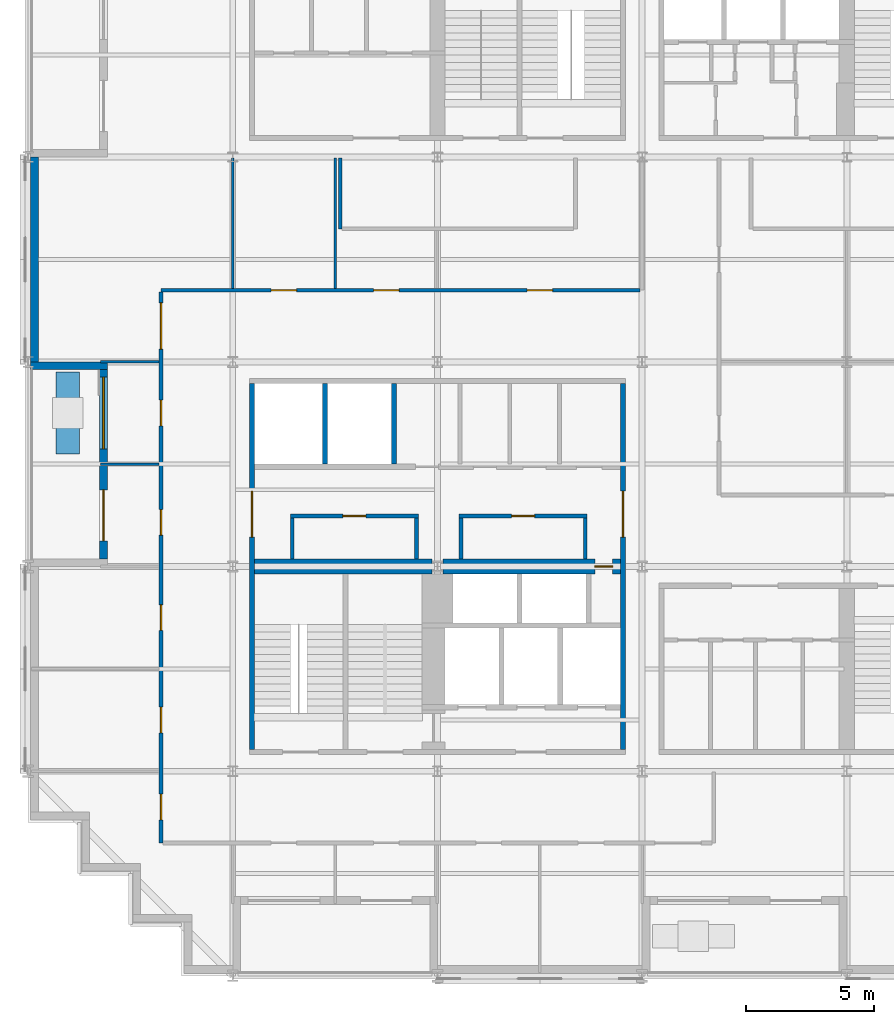
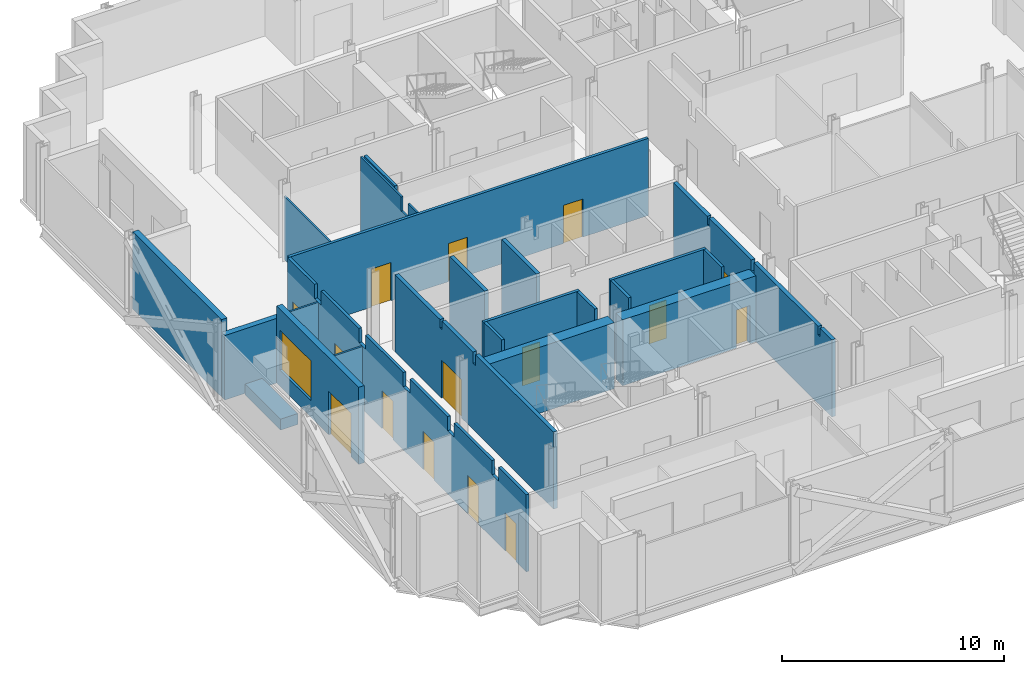
# One storey, part 7 of 15: 23 walls, 15 doors, 1 window, 16 openings.
"""IFC4 building model written with IfcOpenShell, lengths in metres."""

from ifc_helpers import new_model, si_unit, direction, frame, frame_2d, origin, place, context, subcontext, project, spatial, polyline, rectangle, outline, extrude, material, layer, layer_set, type_object, element, fill, save


model = new_model("IFC4")

# Units and contexts
model_context = context("Model", 3, precision=1e-05, world=origin(), true_north=direction((0.0, 1.0)))
body_context = subcontext(model_context, "Body", "Model", "MODEL_VIEW")
ifc_project = project(units=[si_unit("LENGTHUNIT", "METRE"), si_unit("AREAUNIT", "SQUARE_METRE"), si_unit("VOLUMEUNIT", "CUBIC_METRE"), si_unit("PLANEANGLEUNIT", "RADIAN"), si_unit("MASSUNIT", "GRAM", prefix="KILO")], contexts=[model_context])

# Site, building, storey
site_placement = place(None, origin())
site = spatial("IfcSite", under=ifc_project, at=site_placement, CompositionType="ELEMENT")
building_placement = place(site_placement, origin())
building = spatial("IfcBuilding", under=site, at=building_placement, Name="Immortelle Media Tower", CompositionType="ELEMENT")
storey_placement = place(building_placement, frame((0.0, 0.0, 83.199951171875)))
storey = spatial("IfcBuildingStorey", under=building, at=storey_placement, Name="L15", CompositionType="ELEMENT", Elevation=83.199951171875)

# Wall, opening, door
ifc_material_1 = material(Name="Fire-rated masonry blockwork", Category="masonry")
ifc_layer_1 = layer(ifc_material_1, 0.60009765625)
ifc_layer_set_1 = layer_set([ifc_layer_1], Name="Fire-rated masonry blockwork")
wall_type_1 = type_object("IfcWallType", Name="Core grid-line wall 600", PredefinedType="PARTITIONING", material=ifc_layer_set_1)
wall_1_placement = place(storey_placement, frame((16.218505859375, 16.0, 0.0), z_axis=(0.0, 0.0, 1.0), x_axis=(1.0, 0.0, 0.0)))
wall_1 = element("IfcWall", 1, at=wall_1_placement, inside=storey, type_object=wall_type_1, Name="Core grid-line wall SW", PredefinedType="PARTITIONING", context=body_context, shape_type="SweptSolid", body=[
    extrude(rectangle(XDim=6.931396484375, YDim=0.60009765625, at=frame_2d((3.4658203125, 0.0))), origin(), (0.0, 0.0, 1.0), 3.632080078125),
])
opening_1_placement = place(wall_1_placement, frame((6.63134765625, 0.0, 0.0), z_axis=(0.0, 0.0, 1.0), x_axis=(-1.0, 0.0, 0.0)))
opening_1 = element("IfcOpeningElement", 2, at=opening_1_placement, cuts=wall_1, Name="Opening N4-K013", PredefinedType="OPENING", context=body_context, shape_type="SweptSolid", body=[
    extrude(rectangle(XDim=0.699951171875, YDim=2.10009765625, at=frame_2d((0.35009765625, 1.050048828125))), frame((0.0, 0.31005859375, 0.0), z_axis=(0.0, -1.0, 0.0), x_axis=(1.0, 0.0, 0.0)), (0.0, 0.0, 1.0), 0.6201171875),
])
ifc_material_2 = material(Name="Galvanised steel door leaf and frame ASTM A653", Category="steel")
door_type_1 = type_object("IfcDoorType", Name="Service door 700 x 2100", OperationType="NOTDEFINED", PredefinedType="NOTDEFINED", material=ifc_material_2)
door_1_placement = place(opening_1_placement, origin())
door_1 = element("IfcDoor", 3, at=door_1_placement, inside=storey, type_object=door_type_1, Name="Service N4-K013", OperationType="SINGLE_SWING_LEFT", OverallHeight=2.10009765625, OverallWidth=0.699951171875, PredefinedType="NOTDEFINED", context=body_context, shape_type="SweptSolid", body=[
    extrude(rectangle(XDim=0.699951171875, YDim=2.10009765625, at=frame_2d((0.35009765625, 1.050048828125))), frame((0.0, 0.02490234375, 0.0), z_axis=(0.0, -1.0, 0.0), x_axis=(1.0, 0.0, 0.0)), (0.0, 0.0, 1.0), 0.050048828125),
])
fill(opening_1, door_1)

# Wall
ifc_material_3 = material(Name="Fire-rated gypsum board", Category="gypsum")
ifc_layer_2 = layer(ifc_material_3, 0.02490234375)
ifc_material_4 = material(Name="Steel ASTM A653 SS Gr 50 stud frame with mineral wool", Category="steel")
ifc_layer_3 = layer(ifc_material_4, 0.10009765625)
ifc_layer_4 = layer(ifc_material_3, 0.02490234375)
ifc_layer_set_2 = layer_set([ifc_layer_2, ifc_layer_3, ifc_layer_4], Name="Steel ASTM A653 SS Gr 50 stud frame with mineral wool")
wall_type_2 = type_object("IfcWallType", Name="Core partition 150", PredefinedType="PARTITIONING", material=ifc_layer_set_2)
wall_2_placement = place(storey_placement, frame((10.324951171875, 16.300048828125, 0.0), z_axis=(0.0, 0.0, 1.0), x_axis=(0.0, 1.0, 0.0)))
element("IfcWall", 4, at=wall_2_placement, inside=storey, type_object=wall_type_2, Name="Core partition SW", PredefinedType="PARTITIONING", context=body_context, shape_type="SweptSolid", body=[
    extrude(rectangle(XDim=1.599853515625, YDim=0.14990234375, at=frame_2d((0.7998046875, 0.0))), origin(), (0.0, 0.0, 1.0), 4.25),
])

# Wall, opening, door
wall_3_placement = place(storey_placement, frame((10.25, 17.97509765625, 0.0), z_axis=(0.0, 0.0, 1.0), x_axis=(1.0, 0.0, 0.0)))
wall_3 = element("IfcWall", 5, at=wall_3_placement, inside=storey, type_object=wall_type_2, Name="Core partition SW", PredefinedType="PARTITIONING", context=body_context, shape_type="SweptSolid", body=[
    extrude(rectangle(XDim=5.0, YDim=0.14990234375, at=frame_2d((2.5, 0.0))), origin(), (0.0, 0.0, 1.0), 4.25),
])
opening_2_placement = place(wall_3_placement, frame((2.949951171875, 0.0, 0.0), z_axis=(0.0, 0.0, 1.0), x_axis=(-1.0, 0.0, 0.0)))
opening_2 = element("IfcOpeningElement", 6, at=opening_2_placement, cuts=wall_3, Name="Opening N4-K003", PredefinedType="OPENING", context=body_context, shape_type="SweptSolid", body=[
    extrude(rectangle(XDim=0.89990234375, YDim=2.10009765625, at=frame_2d((0.449951171875, 1.050048828125))), frame((0.0, 0.0849609375, 0.0), z_axis=(0.0, -1.0, 0.0), x_axis=(1.0, 0.0, 0.0)), (0.0, 0.0, 1.0), 0.169921875),
])
ifc_material_5 = material(Name="Timber", Category="wood")
door_type_2 = type_object("IfcDoorType", Name="Room door 900 x 2100", OperationType="NOTDEFINED", PredefinedType="NOTDEFINED", material=ifc_material_5)
door_2_placement = place(opening_2_placement, origin())
door_2 = element("IfcDoor", 7, at=door_2_placement, inside=storey, type_object=door_type_2, Name="Room N4-K003", OperationType="SINGLE_SWING_LEFT", OverallHeight=2.10009765625, OverallWidth=0.89990234375, PredefinedType="NOTDEFINED", context=body_context, shape_type="SweptSolid", body=[
    extrude(rectangle(XDim=0.89990234375, YDim=2.10009765625, at=frame_2d((0.449951171875, 1.050048828125))), frame((0.0, 0.02490234375, 0.0), z_axis=(0.0, -1.0, 0.0), x_axis=(1.0, 0.0, 0.0)), (0.0, 0.0, 1.0), 0.050048828125),
])
fill(opening_2, door_2)

# Walls
for number, where, z_axis, x_axis, name in (
    (8, (15.175048828125, 16.300048828125, 0.0), (0.0, 0.0, 1.0), (0.0, 1.0, 0.0), "Core partition SW"),
    (9, (16.925048828125, 16.300048828125, 0.0), (0.0, 0.0, 1.0), (0.0, 1.0, 0.0), "Core partition SW"),
):
    element("IfcWall", number, at=place(storey_placement, frame(where, z_axis=z_axis, x_axis=x_axis)), inside=storey, type_object=wall_type_2, Name=name, PredefinedType="PARTITIONING", context=body_context, shape_type="SweptSolid", body=[
        extrude(rectangle(XDim=1.599853515625, YDim=0.14990234375, at=frame_2d((0.7998046875, 0.0))), origin(), (0.0, 0.0, 1.0), 4.25),
    ])

# Wall, opening, door
wall_4_placement = place(storey_placement, frame((16.85009765625, 17.97509765625, 0.0), z_axis=(0.0, 0.0, 1.0), x_axis=(1.0, 0.0, 0.0)))
wall_4 = element("IfcWall", 10, at=wall_4_placement, inside=storey, type_object=wall_type_2, Name="Core partition SW", PredefinedType="PARTITIONING", context=body_context, shape_type="SweptSolid", body=[
    extrude(rectangle(XDim=5.0, YDim=0.14990234375, at=frame_2d((2.5, 0.0))), origin(), (0.0, 0.0, 1.0), 4.25),
])
opening_3_placement = place(wall_4_placement, frame((2.949951171875, 0.0, 0.0), z_axis=(0.0, 0.0, 1.0), x_axis=(-1.0, 0.0, 0.0)))
opening_3 = element("IfcOpeningElement", 11, at=opening_3_placement, cuts=wall_4, Name="Opening N4-K037", PredefinedType="OPENING", context=body_context, shape_type="SweptSolid", body=[
    extrude(rectangle(XDim=0.89990234375, YDim=2.10009765625, at=frame_2d((0.449951171875, 1.050048828125))), frame((0.0, 0.0849609375, 0.0), z_axis=(0.0, -1.0, 0.0), x_axis=(1.0, 0.0, 0.0)), (0.0, 0.0, 1.0), 0.169921875),
])
door_3_placement = place(opening_3_placement, origin())
door_3 = element("IfcDoor", 12, at=door_3_placement, inside=storey, type_object=door_type_2, Name="Room N4-K037", OperationType="SINGLE_SWING_RIGHT", OverallHeight=2.10009765625, OverallWidth=0.89990234375, PredefinedType="NOTDEFINED", context=body_context, shape_type="SweptSolid", body=[
    extrude(rectangle(XDim=0.89990234375, YDim=2.10009765625, at=frame_2d((0.449951171875, 1.050048828125))), frame((0.0, 0.02490234375, 0.0), z_axis=(0.0, -1.0, 0.0), x_axis=(1.0, 0.0, 0.0)), (0.0, 0.0, 1.0), 0.050048828125),
])
fill(opening_3, door_3)

# Walls
wall_5_placement = place(storey_placement, frame((21.77490234375, 16.300048828125, 0.0), z_axis=(0.0, 0.0, 1.0), x_axis=(0.0, 1.0, 0.0)))
element("IfcWall", 13, at=wall_5_placement, inside=storey, type_object=wall_type_2, Name="Core partition SW", PredefinedType="PARTITIONING", context=body_context, shape_type="SweptSolid", body=[
    extrude(rectangle(XDim=1.599853515625, YDim=0.14990234375, at=frame_2d((0.7998046875, 0.0))), origin(), (0.0, 0.0, 1.0), 4.25),
])
ifc_layer_5 = layer(ifc_material_3, 0.03759765625)
ifc_layer_6 = layer(ifc_material_4, 0.125)
ifc_layer_7 = layer(ifc_material_3, 0.03759765625)
ifc_layer_set_3 = layer_set([ifc_layer_5, ifc_layer_6, ifc_layer_7], Name="Steel ASTM A653 SS Gr 50 stud frame with mineral wool")
wall_type_3 = type_object("IfcWallType", Name="Core shaft wall 200", PredefinedType="PARTITIONING", material=ifc_layer_set_3)
for number, where, z_axis, x_axis, name in (
    (14, (11.60009765625, 20.0, 0.0), (0.0, 0.0, 1.0), (0.0, 1.0, 0.0), "Core shaft wall SW"),
    (15, (14.300048828125, 20.0, 0.0), (0.0, 0.0, 1.0), (0.0, 1.0, 0.0), "Core shaft wall SW"),
):
    element("IfcWall", number, at=place(storey_placement, frame(where, z_axis=z_axis, x_axis=x_axis)), inside=storey, type_object=wall_type_3, Name=name, PredefinedType="PARTITIONING", context=body_context, shape_type="SweptSolid", body=[
        extrude(rectangle(XDim=3.14990234375, YDim=0.199951171875, at=frame_2d((1.574951171875, 0.0))), origin(), (0.0, 0.0, 1.0), 4.25),
    ])

# Wall, opening, door
wall_6_placement = place(storey_placement, frame((23.25, 8.85009765625, 0.0), z_axis=(0.0, 0.0, 1.0), x_axis=(0.0, 1.0, 0.0)))
wall_6 = element("IfcWall", 16, at=wall_6_placement, inside=storey, type_object=wall_type_3, Name="Core shaft wall SW", PredefinedType="PARTITIONING", context=body_context, shape_type="SweptSolid", body=[
    extrude(outline(polyline([(0.0, 0.0), (14.2998046875, 0.0), (14.300048828125, 4.25), (11.2314453125, 4.25), (11.23046875, 3.7890625), (11.069580078125, 3.7890625), (11.068603515625, 4.25), (7.26953125, 4.25), (7.2685546875, 3.632080078125), (7.031494140625, 3.632080078125), (7.030517578125, 4.25), (1.2314453125, 4.25), (1.23046875, 3.7890625), (1.069580078125, 3.7890625), (1.068603515625, 4.25), (0.0, 4.25), (0.0, 0.0)])), frame((0.0, 0.10009765625, 0.0), z_axis=(0.0, -1.0, 0.0), x_axis=(1.0, 0.0, 0.0)), (0.0, 0.0, 1.0), 0.199951171875),
])
opening_4_placement = place(wall_6_placement, frame((8.300048828125, 0.0, 0.0)))
opening_4 = element("IfcOpeningElement", 17, at=opening_4_placement, cuts=wall_6, Name="Opening N4-K014", PredefinedType="OPENING", context=body_context, shape_type="SweptSolid", body=[
    extrude(rectangle(XDim=1.800048828125, YDim=2.10009765625, at=frame_2d((0.89990234375, 1.050048828125))), frame((0.0, 0.10986328125, 0.0), z_axis=(0.0, -1.0, 0.0), x_axis=(1.0, 0.0, 0.0)), (0.0, 0.0, 1.0), 0.219970703125),
])
door_type_3 = type_object("IfcDoorType", Name="Lift lobby door 1800 x 2100", OperationType="DOUBLE_DOOR_SINGLE_SWING", PredefinedType="NOTDEFINED", material=ifc_material_2)
door_4_placement = place(opening_4_placement, origin())
door_4 = element("IfcDoor", 18, at=door_4_placement, inside=storey, type_object=door_type_3, Name="Lift lobby N4-K014", OperationType="DOUBLE_DOOR_SINGLE_SWING", OverallHeight=2.10009765625, OverallWidth=1.800048828125, PredefinedType="NOTDEFINED", context=body_context, shape_type="SweptSolid", body=[
    extrude(rectangle(XDim=1.800048828125, YDim=2.10009765625, at=frame_2d((0.89990234375, 1.050048828125))), frame((0.0, 0.02490234375, 0.0), z_axis=(0.0, -1.0, 0.0), x_axis=(1.0, 0.0, 0.0)), (0.0, 0.0, 1.0), 0.050048828125),
])
fill(opening_4, door_4)

# Wall, openings, doors
ifc_layer_8 = layer(ifc_material_3, 0.012451171875)
ifc_layer_9 = layer(ifc_material_4, 0.125)
ifc_layer_10 = layer(ifc_material_3, 0.012451171875)
ifc_layer_set_4 = layer_set([ifc_layer_8, ifc_layer_9, ifc_layer_10], Name="Steel ASTM A653 SS Gr 50 stud frame with mineral wool")
wall_type_4 = type_object("IfcWallType", Name="Corridor wall 150", PredefinedType="PARTITIONING", material=ifc_layer_set_4)
wall_7_placement = place(storey_placement, frame((5.199951171875, 5.199951171875, 0.0), z_axis=(0.0, 0.0, 1.0), x_axis=(0.0, 1.0, 0.0)))
wall_7 = element("IfcWall", 19, at=wall_7_placement, inside=storey, type_object=wall_type_4, Name="Partition L15-007", PredefinedType="PARTITIONING", context=body_context, shape_type="SweptSolid", body=[
    extrude(outline(polyline([(0.0, 0.0), (21.525146484375, 0.0), (21.52490234375, 4.25), (19.10009765625, 4.25), (19.097900390625, 3.469970703125), (18.501953125, 3.469970703125), (18.5, 4.25), (15.10009765625, 4.25), (15.097900390625, 3.469970703125), (14.501953125, 3.469970703125), (14.5, 4.25), (11.10009765625, 4.25), (11.097900390625, 3.469970703125), (10.501953125, 3.469970703125), (10.5, 4.25), (7.10009765625, 4.25), (7.097900390625, 3.469970703125), (6.501953125, 3.469970703125), (6.5, 4.25), (3.10009765625, 4.25), (3.097900390625, 3.469970703125), (2.501953125, 3.469970703125), (2.5, 4.25), (0.0, 4.25), (0.0, 0.0)])), frame((0.0, 0.074951171875, 0.0), z_axis=(0.0, -1.0, 0.0), x_axis=(1.0, 0.0, 0.0)), (0.0, 0.0, 1.0), 0.14990234375),
])
opening_5_placement = place(wall_7_placement, frame((0.89990234375, 0.0, 0.0)))
opening_5 = element("IfcOpeningElement", 20, at=opening_5_placement, cuts=wall_7, Name="Opening N4-F005", PredefinedType="OPENING", context=body_context, shape_type="SweptSolid", body=[
    extrude(rectangle(XDim=1.0, YDim=2.10009765625, at=frame_2d((0.5, 1.050048828125))), frame((0.0, 0.0849609375, 0.0), z_axis=(0.0, -1.0, 0.0), x_axis=(1.0, 0.0, 0.0)), (0.0, 0.0, 1.0), 0.169921875),
])
opening_6_placement = place(wall_7_placement, frame((4.300048828125, 0.0, 0.0)))
opening_6 = element("IfcOpeningElement", 21, at=opening_6_placement, cuts=wall_7, Name="Opening N4-F007", PredefinedType="OPENING", context=body_context, shape_type="SweptSolid", body=[
    extrude(rectangle(XDim=1.0, YDim=2.10009765625, at=frame_2d((0.5, 1.050048828125))), frame((0.0, 0.0849609375, 0.0), z_axis=(0.0, -1.0, 0.0), x_axis=(1.0, 0.0, 0.0)), (0.0, 0.0, 1.0), 0.169921875),
])
opening_7_placement = place(wall_7_placement, frame((8.300048828125, 0.0, 0.0)))
opening_7 = element("IfcOpeningElement", 22, at=opening_7_placement, cuts=wall_7, Name="Opening N4-F008", PredefinedType="OPENING", context=body_context, shape_type="SweptSolid", body=[
    extrude(rectangle(XDim=1.0, YDim=2.10009765625, at=frame_2d((0.5, 1.050048828125))), frame((0.0, 0.0849609375, 0.0), z_axis=(0.0, -1.0, 0.0), x_axis=(1.0, 0.0, 0.0)), (0.0, 0.0, 1.0), 0.169921875),
])
opening_8_placement = place(wall_7_placement, frame((12.02490234375, 0.0, 0.0)))
opening_8 = element("IfcOpeningElement", 23, at=opening_8_placement, cuts=wall_7, Name="Opening N4-F009", PredefinedType="OPENING", context=body_context, shape_type="SweptSolid", body=[
    extrude(rectangle(XDim=1.0, YDim=2.10009765625, at=frame_2d((0.5, 1.050048828125))), frame((0.0, 0.0849609375, 0.0), z_axis=(0.0, -1.0, 0.0), x_axis=(1.0, 0.0, 0.0)), (0.0, 0.0, 1.0), 0.169921875),
])
opening_9_placement = place(wall_7_placement, frame((16.300048828125, 0.0, 0.0)))
opening_9 = element("IfcOpeningElement", 24, at=opening_9_placement, cuts=wall_7, Name="Opening N4-F010", PredefinedType="OPENING", context=body_context, shape_type="SweptSolid", body=[
    extrude(rectangle(XDim=1.0, YDim=2.10009765625, at=frame_2d((0.5, 1.050048828125))), frame((0.0, 0.0849609375, 0.0), z_axis=(0.0, -1.0, 0.0), x_axis=(1.0, 0.0, 0.0)), (0.0, 0.0, 1.0), 0.169921875),
])
opening_10_placement = place(wall_7_placement, frame((19.300048828125, 0.0, 0.0)))
opening_10 = element("IfcOpeningElement", 25, at=opening_10_placement, cuts=wall_7, Name="Opening N4-F020", PredefinedType="OPENING", context=body_context, shape_type="SweptSolid", body=[
    extrude(rectangle(XDim=1.800048828125, YDim=2.10009765625, at=frame_2d((0.89990234375, 1.050048828125))), frame((0.0, 0.0849609375, 0.0), z_axis=(0.0, -1.0, 0.0), x_axis=(1.0, 0.0, 0.0)), (0.0, 0.0, 1.0), 0.169921875),
])
ifc_material_6 = material(Name="Timber veneered door leaf, galvanised steel frame ASTM A653", Category="steel")
door_type_4 = type_object("IfcDoorType", Name="Room door 1000 x 2100", OperationType="NOTDEFINED", PredefinedType="DOOR", material=ifc_material_6)
door_5_placement = place(opening_5_placement, origin())
door_5 = element("IfcDoor", 26, at=door_5_placement, inside=storey, type_object=door_type_4, Name="Door N4-F005", OperationType="SINGLE_SWING_RIGHT", OverallHeight=2.10009765625, OverallWidth=1.0, PredefinedType="DOOR", context=body_context, shape_type="SweptSolid", body=[
    extrude(rectangle(XDim=1.0, YDim=2.10009765625, at=frame_2d((0.5, 1.050048828125))), frame((0.0, 0.02490234375, 0.0), z_axis=(0.0, -1.0, 0.0), x_axis=(1.0, 0.0, 0.0)), (0.0, 0.0, 1.0), 0.050048828125),
])
fill(opening_5, door_5)
door_6_placement = place(opening_6_placement, origin())
door_6 = element("IfcDoor", 27, at=door_6_placement, inside=storey, type_object=door_type_4, Name="Door N4-F007", OperationType="SINGLE_SWING_RIGHT", OverallHeight=2.10009765625, OverallWidth=1.0, PredefinedType="DOOR", context=body_context, shape_type="SweptSolid", body=[
    extrude(rectangle(XDim=1.0, YDim=2.10009765625, at=frame_2d((0.5, 1.050048828125))), frame((0.0, 0.02490234375, 0.0), z_axis=(0.0, -1.0, 0.0), x_axis=(1.0, 0.0, 0.0)), (0.0, 0.0, 1.0), 0.050048828125),
])
fill(opening_6, door_6)
door_7_placement = place(opening_7_placement, origin())
door_7 = element("IfcDoor", 28, at=door_7_placement, inside=storey, type_object=door_type_4, Name="Door N4-F008", OperationType="SINGLE_SWING_LEFT", OverallHeight=2.10009765625, OverallWidth=1.0, PredefinedType="DOOR", context=body_context, shape_type="SweptSolid", body=[
    extrude(rectangle(XDim=1.0, YDim=2.10009765625, at=frame_2d((0.5, 1.050048828125))), frame((0.0, 0.02490234375, 0.0), z_axis=(0.0, -1.0, 0.0), x_axis=(1.0, 0.0, 0.0)), (0.0, 0.0, 1.0), 0.050048828125),
])
fill(opening_7, door_7)
door_8_placement = place(opening_8_placement, origin())
door_8 = element("IfcDoor", 29, at=door_8_placement, inside=storey, type_object=door_type_4, Name="Door N4-F009", OperationType="SINGLE_SWING_LEFT", OverallHeight=2.10009765625, OverallWidth=1.0, PredefinedType="DOOR", context=body_context, shape_type="SweptSolid", body=[
    extrude(rectangle(XDim=1.0, YDim=2.10009765625, at=frame_2d((0.5, 1.050048828125))), frame((0.0, 0.02490234375, 0.0), z_axis=(0.0, -1.0, 0.0), x_axis=(1.0, 0.0, 0.0)), (0.0, 0.0, 1.0), 0.050048828125),
])
fill(opening_8, door_8)
door_9_placement = place(opening_9_placement, origin())
door_9 = element("IfcDoor", 30, at=door_9_placement, inside=storey, type_object=door_type_4, Name="Door N4-F010", OperationType="SINGLE_SWING_RIGHT", OverallHeight=2.10009765625, OverallWidth=1.0, PredefinedType="DOOR", context=body_context, shape_type="SweptSolid", body=[
    extrude(rectangle(XDim=1.0, YDim=2.10009765625, at=frame_2d((0.5, 1.050048828125))), frame((0.0, 0.02490234375, 0.0), z_axis=(0.0, -1.0, 0.0), x_axis=(1.0, 0.0, 0.0)), (0.0, 0.0, 1.0), 0.050048828125),
])
fill(opening_9, door_9)
door_type_5 = type_object("IfcDoorType", Name="Room door 1800 x 2100", OperationType="DOUBLE_DOOR_SINGLE_SWING", PredefinedType="DOOR", material=ifc_material_6)
door_10_placement = place(opening_10_placement, origin())
door_10 = element("IfcDoor", 31, at=door_10_placement, inside=storey, type_object=door_type_5, Name="Door N4-F020", OperationType="DOUBLE_DOOR_SINGLE_SWING", OverallHeight=2.10009765625, OverallWidth=1.800048828125, PredefinedType="DOOR", context=body_context, shape_type="SweptSolid", body=[
    extrude(rectangle(XDim=1.800048828125, YDim=2.10009765625, at=frame_2d((0.89990234375, 1.050048828125))), frame((0.0, 0.02490234375, 0.0), z_axis=(0.0, -1.0, 0.0), x_axis=(1.0, 0.0, 0.0)), (0.0, 0.0, 1.0), 0.050048828125),
])
fill(opening_10, door_10)

wall_8_placement = place(storey_placement, frame((5.199951171875, 26.800048828125, 0.0), z_axis=(0.0, 0.0, 1.0), x_axis=(1.0, 0.0, 0.0)))
wall_8 = element("IfcWall", 32, at=wall_8_placement, inside=storey, type_object=wall_type_4, Name="Partition L15-027", PredefinedType="PARTITIONING", context=body_context, shape_type="SweptSolid", body=[
    extrude(rectangle(XDim=18.72509765625, YDim=0.14990234375, at=frame_2d((9.362548828125, 0.0))), origin(), (0.0, 0.0, 1.0), 4.25),
])
opening_11_placement = place(wall_8_placement, frame((14.300048828125, 0.0, 0.0)))
opening_11 = element("IfcOpeningElement", 33, at=opening_11_placement, cuts=wall_8, Name="Opening N4-F016", PredefinedType="OPENING", context=body_context, shape_type="SweptSolid", body=[
    extrude(rectangle(XDim=1.0, YDim=2.10009765625, at=frame_2d((0.5, 1.050048828125))), frame((0.0, 0.0849609375, 0.0), z_axis=(0.0, -1.0, 0.0), x_axis=(1.0, 0.0, 0.0)), (0.0, 0.0, 1.0), 0.169921875),
])
opening_12_placement = place(wall_8_placement, frame((4.300048828125, 0.0, 0.0)))
opening_12 = element("IfcOpeningElement", 34, at=opening_12_placement, cuts=wall_8, Name="Opening N4-F017", PredefinedType="OPENING", context=body_context, shape_type="SweptSolid", body=[
    extrude(rectangle(XDim=1.0, YDim=2.10009765625, at=frame_2d((0.5, 1.050048828125))), frame((0.0, 0.0849609375, 0.0), z_axis=(0.0, -1.0, 0.0), x_axis=(1.0, 0.0, 0.0)), (0.0, 0.0, 1.0), 0.169921875),
])
opening_13_placement = place(wall_8_placement, frame((8.300048828125, 0.0, 0.0)))
opening_13 = element("IfcOpeningElement", 35, at=opening_13_placement, cuts=wall_8, Name="Opening N4-F018", PredefinedType="OPENING", context=body_context, shape_type="SweptSolid", body=[
    extrude(rectangle(XDim=1.0, YDim=2.10009765625, at=frame_2d((0.5, 1.050048828125))), frame((0.0, 0.0849609375, 0.0), z_axis=(0.0, -1.0, 0.0), x_axis=(1.0, 0.0, 0.0)), (0.0, 0.0, 1.0), 0.169921875),
])
door_11_placement = place(opening_11_placement, origin())
door_11 = element("IfcDoor", 36, at=door_11_placement, inside=storey, type_object=door_type_4, Name="Door N4-F016", OperationType="SINGLE_SWING_RIGHT", OverallHeight=2.10009765625, OverallWidth=1.0, PredefinedType="DOOR", context=body_context, shape_type="SweptSolid", body=[
    extrude(rectangle(XDim=1.0, YDim=2.10009765625, at=frame_2d((0.5, 1.050048828125))), frame((0.0, 0.02490234375, 0.0), z_axis=(0.0, -1.0, 0.0), x_axis=(1.0, 0.0, 0.0)), (0.0, 0.0, 1.0), 0.050048828125),
])
fill(opening_11, door_11)
door_12_placement = place(opening_12_placement, origin())
door_12 = element("IfcDoor", 37, at=door_12_placement, inside=storey, type_object=door_type_4, Name="Door N4-F017", OperationType="SINGLE_SWING_RIGHT", OverallHeight=2.10009765625, OverallWidth=1.0, PredefinedType="DOOR", context=body_context, shape_type="SweptSolid", body=[
    extrude(rectangle(XDim=1.0, YDim=2.10009765625, at=frame_2d((0.5, 1.050048828125))), frame((0.0, 0.02490234375, 0.0), z_axis=(0.0, -1.0, 0.0), x_axis=(1.0, 0.0, 0.0)), (0.0, 0.0, 1.0), 0.050048828125),
])
fill(opening_12, door_12)
door_13_placement = place(opening_13_placement, origin())
door_13 = element("IfcDoor", 38, at=door_13_placement, inside=storey, type_object=door_type_4, Name="Door N4-F018", OperationType="SINGLE_SWING_LEFT", OverallHeight=2.10009765625, OverallWidth=1.0, PredefinedType="DOOR", context=body_context, shape_type="SweptSolid", body=[
    extrude(rectangle(XDim=1.0, YDim=2.10009765625, at=frame_2d((0.5, 1.050048828125))), frame((0.0, 0.02490234375, 0.0), z_axis=(0.0, -1.0, 0.0), x_axis=(1.0, 0.0, 0.0)), (0.0, 0.0, 1.0), 0.050048828125),
])
fill(opening_13, door_13)

# Walls
wall_9_placement = place(storey_placement, frame((12.199951171875, 29.199951171875, 0.0), z_axis=(0.0, 0.0, 1.0), x_axis=(0.0, 1.0, 0.0)))
element("IfcWall", 39, at=wall_9_placement, inside=storey, type_object=wall_type_4, Name="Partition L15-033", PredefinedType="PARTITIONING", context=body_context, shape_type="SweptSolid", body=[
    extrude(rectangle(XDim=2.77001953125, YDim=0.14990234375, at=frame_2d((1.385009765625, 0.0))), origin(), (0.0, 0.0, 1.0), 4.25),
])
ifc_material_7 = material(Name="Pale aluminium cladding panel", Category="aluminium")
ifc_layer_11 = layer(ifc_material_7, 0.030029296875)
ifc_layer_12 = layer(ifc_material_4, 0.257568359375)
ifc_material_8 = material(Name="Moisture-resistant gypsum board", Category="gypsum")
ifc_layer_13 = layer(ifc_material_8, 0.012451171875)
ifc_layer_set_5 = layer_set([ifc_layer_11, ifc_layer_12, ifc_layer_13], Name="Steel ASTM A653 SS Gr 50 stud frame with mineral wool")
wall_type_5 = type_object("IfcWallType", Name="Facade wall 300", PredefinedType="SOLIDWALL", material=ifc_layer_set_5)
wall_10_placement = place(storey_placement, frame((0.25, 32.0, 0.0), z_axis=(0.0, 0.0, 1.0), x_axis=(0.0, -1.0, 0.0)))
element("IfcWall", 40, at=wall_10_placement, inside=storey, type_object=wall_type_5, Name="Facade wall L15 W0", PredefinedType="SOLIDWALL", context=body_context, shape_type="SweptSolid", body=[
    extrude(rectangle(XDim=8.0, YDim=0.300048828125, at=frame_2d((4.0, 0.0))), origin(), (0.0, 0.0, 1.0), 4.25),
])

# Wall, openings, door, window
wall_11_placement = place(storey_placement, frame((2.949951171875, 23.699951171875, 0.0), z_axis=(0.0, 0.0, 1.0), x_axis=(0.0, -1.0, 0.0)))
wall_11 = element("IfcWall", 41, at=wall_11_placement, inside=storey, type_object=wall_type_5, Name="Loggia wall L15 W0", PredefinedType="SOLIDWALL", context=body_context, shape_type="SweptSolid", body=[
    extrude(rectangle(XDim=7.39990234375, YDim=0.300048828125, at=frame_2d((3.699951171875, 0.0))), origin(), (0.0, 0.0, 1.0), 4.25),
])
opening_14_placement = place(wall_11_placement, frame((0.300048828125, 0.0, 0.89990234375)))
opening_14 = element("IfcOpeningElement", 42, at=opening_14_placement, cuts=wall_11, Name="Opening W1", PredefinedType="OPENING", context=body_context, shape_type="SweptSolid", body=[
    extrude(rectangle(XDim=2.800048828125, YDim=2.199951171875, at=frame_2d((1.39990234375, 1.10009765625))), frame((0.0, 0.159912109375, 0.0), z_axis=(0.0, -1.0, 0.0), x_axis=(1.0, 0.0, 0.0)), (0.0, 0.0, 1.0), 0.320068359375),
])
opening_15_placement = place(wall_11_placement, frame((4.699951171875, 0.0, 0.0)))
opening_15 = element("IfcOpeningElement", 43, at=opening_15_placement, cuts=wall_11, Name="Opening N4-E002", PredefinedType="OPENING", context=body_context, shape_type="SweptSolid", body=[
    extrude(rectangle(XDim=2.0, YDim=2.39990234375, at=frame_2d((1.0, 1.199951171875))), frame((0.0, 0.159912109375, 0.0), z_axis=(0.0, -1.0, 0.0), x_axis=(1.0, 0.0, 0.0)), (0.0, 0.0, 1.0), 0.320068359375),
])
ifc_material_9 = material(Name="Aluminium frame, glazed leaves", Category="aluminium")
door_type_6 = type_object("IfcDoorType", Name="Loggia door 2000 x 2400", OperationType="DOUBLE_DOOR_SINGLE_SWING", PredefinedType="DOOR", material=ifc_material_9)
door_14_placement = place(opening_15_placement, origin())
door_14 = element("IfcDoor", 44, at=door_14_placement, inside=storey, type_object=door_type_6, Name="Door N4-E002", OperationType="DOUBLE_DOOR_SINGLE_SWING", OverallHeight=2.39990234375, OverallWidth=2.0, PredefinedType="DOOR", context=body_context, shape_type="SweptSolid", body=[
    extrude(rectangle(XDim=2.0, YDim=2.39990234375, at=frame_2d((1.0, 1.199951171875))), frame((0.0, 0.02490234375, 0.0), z_axis=(0.0, -1.0, 0.0), x_axis=(1.0, 0.0, 0.0)), (0.0, 0.0, 1.0), 0.050048828125),
])
fill(opening_15, door_14)
ifc_material_10 = material(Name="Aluminium frame", Category="aluminium")
window_type = type_object("IfcWindowType", Name="Window 2800 x 2200", PartitioningType="SINGLE_PANEL", PredefinedType="WINDOW", material=ifc_material_10)
window_placement = place(opening_14_placement, origin())
window = element("IfcWindow", 45, at=window_placement, inside=storey, type_object=window_type, Name="Window L15 L15-R0-B2", OverallHeight=2.199951171875, OverallWidth=2.800048828125, PartitioningType="SINGLE_PANEL", PredefinedType="WINDOW", context=body_context, shape_type="SweptSolid", body=[
    extrude(rectangle(XDim=2.800048828125, YDim=2.199951171875, at=frame_2d((1.39990234375, 1.10009765625))), frame((0.0, 0.030029296875, 0.0), z_axis=(0.0, -1.0, 0.0), x_axis=(1.0, 0.0, 0.0)), (0.0, 0.0, 1.0), 0.06005859375),
])
fill(opening_14, window)

# Walls
wall_12_placement = place(storey_placement, frame((0.10009765625, 23.85009765625, 0.0), z_axis=(0.0, 0.0, 1.0), x_axis=(1.0, 0.0, 0.0)))
element("IfcWall", 46, at=wall_12_placement, inside=storey, type_object=wall_type_5, Name="Loggia cheek wall L15 W", PredefinedType="SOLIDWALL", context=body_context, shape_type="SweptSolid", body=[
    extrude(rectangle(XDim=3.0, YDim=0.300048828125, at=frame_2d((1.5, 0.0))), origin(), (0.0, 0.0, 1.0), 3.55615234375),
])
ifc_material_11 = material(Name="Gypsum board", Category="gypsum")
ifc_layer_14 = layer(ifc_material_11, 0.012451171875)
ifc_layer_15 = layer(ifc_material_4, 0.074951171875)
ifc_layer_16 = layer(ifc_material_11, 0.012451171875)
ifc_layer_set_6 = layer_set([ifc_layer_14, ifc_layer_15, ifc_layer_16], Name="Steel ASTM A653 SS Gr 50 stud frame with mineral wool")
wall_type_6 = type_object("IfcWallType", Name="Partition 100", PredefinedType="PARTITIONING", material=ifc_layer_set_6)
for number, where, z_axis, x_axis, name in (
    (47, (2.830078125, 20.0, 0.0), (0.0, 0.0, 1.0), (1.0, 0.0, 0.0), "Partition L15-020"),
    (48, (2.830078125, 24.0, 0.0), (0.0, 0.0, 1.0), (1.0, 0.0, 0.0), "Partition L15-021"),
):
    element("IfcWall", number, at=place(storey_placement, frame(where, z_axis=z_axis, x_axis=x_axis)), inside=storey, type_object=wall_type_6, Name=name, PredefinedType="PARTITIONING", context=body_context, shape_type="SweptSolid", body=[
        extrude(rectangle(XDim=2.294921875, YDim=0.10009765625, at=frame_2d((1.1474609375, 0.0))), origin(), (0.0, 0.0, 1.0), 3.469970703125),
    ])
wall_13_placement = place(storey_placement, frame((8.0, 26.875, 0.0), z_axis=(0.0, 0.0, 1.0), x_axis=(0.0, 1.0, 0.0)))
element("IfcWall", 49, at=wall_13_placement, inside=storey, type_object=wall_type_6, Name="Partition L15-028", PredefinedType="PARTITIONING", context=body_context, shape_type="SweptSolid", body=[
    extrude(rectangle(XDim=5.094970703125, YDim=0.10009765625, at=frame_2d((2.54736328125, 0.0))), origin(), (0.0, 0.0, 1.0), 3.469970703125),
])
wall_14_placement = place(storey_placement, frame((12.0, 26.875, 0.0), z_axis=(0.0, 0.0, 1.0), x_axis=(0.0, 1.0, 0.0)))
element("IfcWall", 50, at=wall_14_placement, inside=storey, type_object=wall_type_6, Name="Partition L15-029", PredefinedType="PARTITIONING", context=body_context, shape_type="SweptSolid", body=[
    extrude(outline(polyline([(0.0, 0.0), (5.094970703125, 0.0), (5.094970703125, 4.25), (1.425048828125, 4.25), (1.423095703125, 3.469970703125), (0.826904296875, 3.469970703125), (0.824951171875, 4.25), (0.0, 4.25), (0.0, 0.0)])), frame((0.0, 0.050048828125, 0.0), z_axis=(0.0, -1.0, 0.0), x_axis=(1.0, 0.0, 0.0)), (0.0, 0.0, 1.0), 0.10009765625),
])
ifc_layer_17 = layer(ifc_material_7, 0.0029296875)
ifc_material_12 = material(Name="Steel ASTM A572 Gr 50 planter shell", Category="steel")
ifc_layer_18 = layer(ifc_material_12, 0.011962890625)
ifc_material_13 = material(Name="Planting substrate", Category="soil")
ifc_layer_19 = layer(ifc_material_13, 0.873046875)
ifc_layer_20 = layer(ifc_material_12, 0.011962890625)
ifc_layer_set_7 = layer_set([ifc_layer_17, ifc_layer_18, ifc_layer_19, ifc_layer_20], Name="Steel ASTM A572 Gr 50 planter shell")
wall_type_7 = type_object("IfcWallType", Name="Planter wall 900", PredefinedType="SOLIDWALL", material=ifc_layer_set_7)
wall_15_placement = place(storey_placement, frame((1.550048828125, 23.60009765625, 0.0), z_axis=(0.0, 0.0, 1.0), x_axis=(0.0, -1.0, 0.0)))
element("IfcWall", 51, at=wall_15_placement, inside=storey, type_object=wall_type_7, Name="Planter L15 W2", PredefinedType="SOLIDWALL", context=body_context, shape_type="SweptSolid", body=[
    extrude(rectangle(XDim=3.2001953125, YDim=0.89990234375, at=frame_2d((1.60009765625, 0.0))), origin(), (0.0, 0.0, 1.0), 0.60009765625),
])

# Wall, opening, door
ifc_material_14 = material(Name="Concrete C60", Category="concrete")
ifc_layer_21 = layer(ifc_material_14, 0.199951171875)
ifc_layer_set_8 = layer_set([ifc_layer_21], Name="Concrete C60")
wall_type_8 = type_object("IfcWallType", Name="Stair shaft wall 200", PredefinedType="PARTITIONING", material=ifc_layer_set_8)
wall_16_placement = place(storey_placement, frame((8.75, 8.85009765625, 0.0), z_axis=(0.0, 0.0, 1.0), x_axis=(0.0, 1.0, 0.0)))
wall_16 = element("IfcWall", 52, at=wall_16_placement, inside=storey, type_object=wall_type_8, Name="Stair shaft wall SW", PredefinedType="PARTITIONING", context=body_context, shape_type="SweptSolid", body=[
    extrude(outline(polyline([(0.0, 0.0), (14.2998046875, 0.0), (14.300048828125, 4.25), (10.2314453125, 4.25), (10.23046875, 3.7890625), (10.069580078125, 3.7890625), (10.068603515625, 4.25), (7.26953125, 4.25), (7.2685546875, 3.632080078125), (7.031494140625, 3.632080078125), (7.030517578125, 4.25), (0.0, 4.25), (0.0, 0.0)])), frame((0.0, 0.10009765625, 0.0), z_axis=(0.0, -1.0, 0.0), x_axis=(1.0, 0.0, 0.0)), (0.0, 0.0, 1.0), 0.199951171875),
])
opening_16_placement = place(wall_16_placement, frame((8.300048828125, 0.0, 0.0)))
opening_16 = element("IfcOpeningElement", 53, at=opening_16_placement, cuts=wall_16, Name="Opening N4-K001", PredefinedType="OPENING", context=body_context, shape_type="SweptSolid", body=[
    extrude(rectangle(XDim=1.800048828125, YDim=2.10009765625, at=frame_2d((0.89990234375, 1.050048828125))), frame((0.0, 0.10986328125, 0.0), z_axis=(0.0, -1.0, 0.0), x_axis=(1.0, 0.0, 0.0)), (0.0, 0.0, 1.0), 0.219970703125),
])
door_15_placement = place(opening_16_placement, origin())
door_15 = element("IfcDoor", 54, at=door_15_placement, inside=storey, type_object=door_type_3, Name="Lift lobby N4-K001", OperationType="DOUBLE_DOOR_SINGLE_SWING", OverallHeight=2.10009765625, OverallWidth=1.800048828125, PredefinedType="NOTDEFINED", context=body_context, shape_type="SweptSolid", body=[
    extrude(rectangle(XDim=1.800048828125, YDim=2.10009765625, at=frame_2d((0.89990234375, 1.050048828125))), frame((0.0, 0.02490234375, 0.0), z_axis=(0.0, -1.0, 0.0), x_axis=(1.0, 0.0, 0.0)), (0.0, 0.0, 1.0), 0.050048828125),
])
fill(opening_16, door_15)

# Wall
ifc_layer_22 = layer(ifc_material_14, 0.60009765625)
ifc_layer_set_9 = layer_set([ifc_layer_22], Name="Concrete C60")
wall_type_9 = type_object("IfcWallType", Name="Stair shaft wall 600", PredefinedType="PARTITIONING", material=ifc_layer_set_9)
wall_17_placement = place(storey_placement, frame((8.85009765625, 16.0, 0.0), z_axis=(0.0, 0.0, 1.0), x_axis=(1.0, 0.0, 0.0)))
element("IfcWall", 55, at=wall_17_placement, inside=storey, type_object=wall_type_9, Name="Stair shaft wall SW", PredefinedType="PARTITIONING", context=body_context, shape_type="SweptSolid", body=[
    extrude(rectangle(XDim=6.931396484375, YDim=0.60009765625, at=frame_2d((3.4658203125, 0.0))), origin(), (0.0, 0.0, 1.0), 3.632080078125),
])

save(model, "model.ifc")
